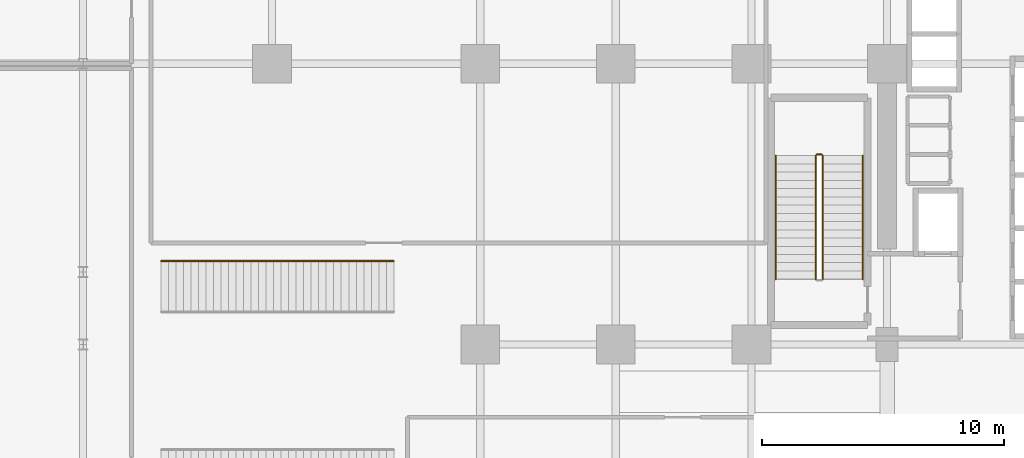
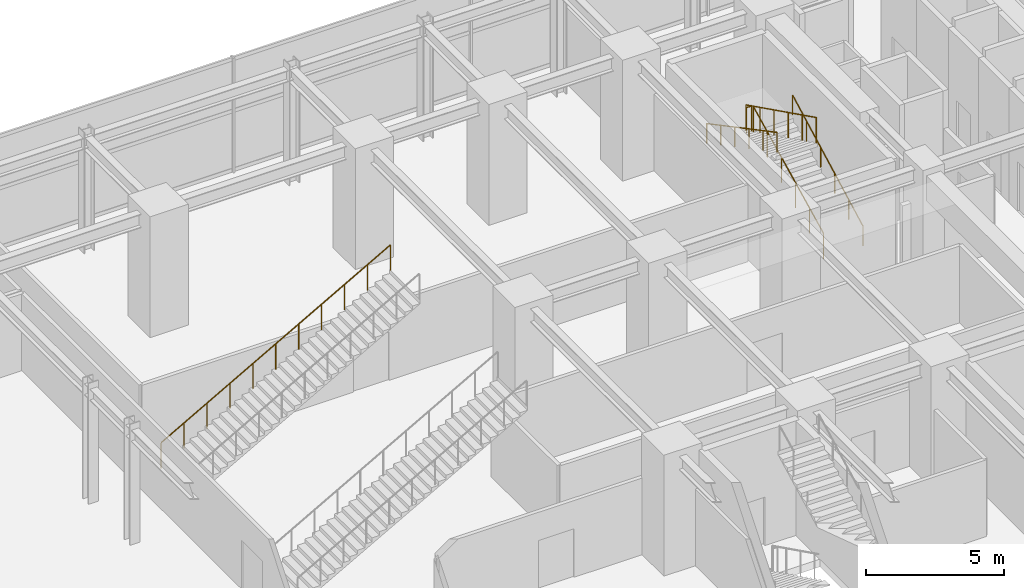
# One storey, part 33 of 34: 6 railings.
"""IFC4 building model written with IfcOpenShell, lengths in metres."""

from ifc_helpers import new_model, si_unit, direction, frame, origin, origin_2d, place, context, subcontext, project, spatial, circle, extrude, material, type_object, element, save


model = new_model("IFC4")

# Units and contexts
model_context = context("Model", 3, precision=1e-05, world=origin(), true_north=direction((0.0, 1.0)))
body_context = subcontext(model_context, "Body", "Model", "MODEL_VIEW")
ifc_project = project(units=[si_unit("LENGTHUNIT", "METRE"), si_unit("AREAUNIT", "SQUARE_METRE"), si_unit("VOLUMEUNIT", "CUBIC_METRE"), si_unit("PLANEANGLEUNIT", "RADIAN"), si_unit("MASSUNIT", "GRAM", prefix="KILO")], contexts=[model_context])

# Site, building, storey
site_placement = place(None, origin())
site = spatial("IfcSite", under=ifc_project, at=site_placement, CompositionType="ELEMENT")
building_placement = place(site_placement, origin())
building = spatial("IfcBuilding", under=site, at=building_placement, Name="Nahalor Promenade Grand Hotel", CompositionType="ELEMENT")
storey_placement = place(building_placement, frame((0.0, 0.0, 16.199951171875)))
storey = spatial("IfcBuildingStorey", under=building, at=storey_placement, Name="L03", CompositionType="ELEMENT", Elevation=16.199951171875)

# Railings
ifc_material = material(Name="Steel S355JR", Category="steel")
railing_type_1 = type_object("IfcRailingType", Name="Steel Stair Guardrail 1150 mm", PredefinedType="GUARDRAIL", material=ifc_material)
railing_1_placement = place(storey_placement, frame((5.75, 8.10009765625, 0.168701171875)))
element("IfcRailing", 1, at=railing_1_placement, inside=storey, type_object=railing_type_1, Name="L03 ST1 stair guard 1", PredefinedType="GUARDRAIL", context=body_context, shape_type="SweptSolid", body=[
    extrude(circle(Radius=0.024048, at=origin_2d()), frame((0.0, 0.0, 1.1259765625), z_axis=(0.0, 0.895735491292, 0.444587370086), x_axis=(-1.0, 0.0, 0.0)), (0.0, 0.0, 1.0), 5.693603515625),
    extrude(circle(Radius=0.020996, at=origin_2d()), origin(), (0.0, 0.0, 1.0), 1.099853515625),
    extrude(circle(Radius=0.020996, at=origin_2d()), frame((0.0, 1.02001953125, 0.50634765625)), (0.0, 0.0, 1.0), 1.099853515625),
    extrude(circle(Radius=0.020996, at=origin_2d()), frame((0.0, 2.0400390625, 1.012451171875)), (0.0, 0.0, 1.0), 1.099853515625),
    extrude(circle(Radius=0.020996, at=origin_2d()), frame((0.0, 3.059814453125, 1.518798828125)), (0.0, 0.0, 1.0), 1.099853515625),
    extrude(circle(Radius=0.020996, at=origin_2d()), frame((0.0, 4.079833984375, 2.02490234375)), (0.0, 0.0, 1.0), 1.099853515625),
    extrude(circle(Radius=0.020996, at=origin_2d()), frame((0.0, 5.099853515625, 2.53125)), (0.0, 0.0, 1.0), 1.099853515625),
])
railing_2_placement = place(storey_placement, frame((5.699951171875, 13.25, 2.699951171875)))
element("IfcRailing", 2, at=railing_2_placement, inside=storey, type_object=railing_type_1, Name="L03 ST1 stair guard 2", PredefinedType="GUARDRAIL", context=body_context, shape_type="SweptSolid", body=[
    extrude(circle(Radius=0.024048, at=origin_2d()), frame((0.0, 0.0, 1.1259765625), z_axis=(-1.0, 0.0, 0.0), x_axis=(0.0, -1.0, 0.0)), (0.0, 0.0, 1.0), 0.199951171875),
    extrude(circle(Radius=0.020996, at=origin_2d()), origin(), (0.0, 0.0, 1.0), 1.099853515625),
    extrude(circle(Radius=0.020996, at=origin_2d()), frame((-0.199951171875, 0.0, 0.0)), (0.0, 0.0, 1.0), 1.099853515625),
])
railing_3_placement = place(storey_placement, frame((5.449951171875, 13.199951171875, 2.868896484375)))
element("IfcRailing", 3, at=railing_3_placement, inside=storey, type_object=railing_type_1, Name="L03 ST1 stair guard 3", PredefinedType="GUARDRAIL", context=body_context, shape_type="SweptSolid", body=[
    extrude(circle(Radius=0.024048, at=origin_2d()), frame((0.0, 0.0, 1.1259765625), z_axis=(0.0, -0.895735491292, 0.444587370086), x_axis=(1.0, 0.0, 0.0)), (0.0, 0.0, 1.0), 5.693603515625),
    extrude(circle(Radius=0.020996, at=origin_2d()), origin(), (0.0, 0.0, 1.0), 1.099853515625),
    extrude(circle(Radius=0.020996, at=origin_2d()), frame((0.0, -1.02001953125, 0.50634765625)), (0.0, 0.0, 1.0), 1.099853515625),
    extrude(circle(Radius=0.020996, at=origin_2d()), frame((0.0, -2.0400390625, 1.012451171875)), (0.0, 0.0, 1.0), 1.099853515625),
    extrude(circle(Radius=0.020996, at=origin_2d()), frame((0.0, -3.059814453125, 1.518798828125)), (0.0, 0.0, 1.0), 1.099853515625),
    extrude(circle(Radius=0.020996, at=origin_2d()), frame((0.0, -4.079833984375, 2.02490234375)), (0.0, 0.0, 1.0), 1.099853515625),
    extrude(circle(Radius=0.020996, at=origin_2d()), frame((0.0, -5.099853515625, 2.53125)), (0.0, 0.0, 1.0), 1.099853515625),
])
railing_4_placement = place(storey_placement, frame((-21.580078125, 8.85009765625, 0.0)))
element("IfcRailing", 4, at=railing_4_placement, inside=storey, type_object=railing_type_1, Name="RL-STM4-L", PredefinedType="GUARDRAIL", context=body_context, shape_type="SweptSolid", body=[
    extrude(circle(Radius=0.024048, at=origin_2d()), frame((0.0, 0.0, 1.1259765625), z_axis=(0.871790158963, 0.0, 0.489879494096), x_axis=(0.0, 1.0, 0.0)), (0.0, 0.0, 1.0), 11.0234375),
    extrude(circle(Radius=0.020996, at=origin_2d()), origin(), (0.0, 0.0, 1.0), 1.099853515625),
    extrude(circle(Radius=0.020996, at=origin_2d()), frame((0.9609375, 0.0, 0.5400390625)), (0.0, 0.0, 1.0), 1.099853515625),
    extrude(circle(Radius=0.020996, at=origin_2d()), frame((1.922119140625, 0.0, 1.080078125)), (0.0, 0.0, 1.0), 1.099853515625),
    extrude(circle(Radius=0.020996, at=origin_2d()), frame((2.883056640625, 0.0, 1.6201171875)), (0.0, 0.0, 1.0), 1.099853515625),
    extrude(circle(Radius=0.020996, at=origin_2d()), frame((3.843994140625, 0.0, 2.16015625)), (0.0, 0.0, 1.0), 1.099853515625),
    extrude(circle(Radius=0.020996, at=origin_2d()), frame((4.80517578125, 0.0, 2.7001953125)), (0.0, 0.0, 1.0), 1.099853515625),
    extrude(circle(Radius=0.020996, at=origin_2d()), frame((5.76611328125, 0.0, 3.239990234375)), (0.0, 0.0, 1.0), 1.099853515625),
    extrude(circle(Radius=0.020996, at=origin_2d()), frame((6.72705078125, 0.0, 3.780029296875)), (0.0, 0.0, 1.0), 1.099853515625),
    extrude(circle(Radius=0.020996, at=origin_2d()), frame((7.68798828125, 0.0, 4.320068359375)), (0.0, 0.0, 1.0), 1.099853515625),
    extrude(circle(Radius=0.020996, at=origin_2d()), frame((8.649169921875, 0.0, 4.860107421875)), (0.0, 0.0, 1.0), 1.099853515625),
    extrude(circle(Radius=0.020996, at=origin_2d()), frame((9.610107421875, 0.0, 5.400146484375)), (0.0, 0.0, 1.0), 1.099853515625),
])
railing_type_2 = type_object("IfcRailingType", Name="Steel Stair Handrail 900 mm", PredefinedType="HANDRAIL", material=ifc_material)
railing_5_placement = place(storey_placement, frame((7.39990234375, 8.10009765625, 0.168701171875)))
element("IfcRailing", 5, at=railing_5_placement, inside=storey, type_object=railing_type_2, Name="L03 ST1 stair handrail 1", PredefinedType="HANDRAIL", context=body_context, shape_type="SweptSolid", body=[
    extrude(circle(Radius=0.024048, at=origin_2d()), frame((0.0, 0.0, 0.8759765625), z_axis=(0.0, 0.883768362495, 0.467924653607), x_axis=(-1.0, 0.0, 0.0)), (0.0, 0.0, 1.0), 5.7705078125),
    extrude(circle(Radius=0.020996, at=origin_2d()), origin(), (0.0, 0.0, 1.0), 0.849853515625),
    extrude(circle(Radius=0.020996, at=origin_2d()), frame((0.0, 1.02001953125, 0.5400390625)), (0.0, 0.0, 1.0), 0.849853515625),
    extrude(circle(Radius=0.020996, at=origin_2d()), frame((0.0, 2.0400390625, 1.080078125)), (0.0, 0.0, 1.0), 0.849853515625),
    extrude(circle(Radius=0.020996, at=origin_2d()), frame((0.0, 3.059814453125, 1.6201171875)), (0.0, 0.0, 1.0), 0.849853515625),
    extrude(circle(Radius=0.020996, at=origin_2d()), frame((0.0, 4.079833984375, 2.16015625)), (0.0, 0.0, 1.0), 0.849853515625),
    extrude(circle(Radius=0.020996, at=origin_2d()), frame((0.0, 5.099853515625, 2.7001953125)), (0.0, 0.0, 1.0), 0.849853515625),
])
railing_6_placement = place(storey_placement, frame((3.800048828125, 13.199951171875, 2.868896484375)))
element("IfcRailing", 6, at=railing_6_placement, inside=storey, type_object=railing_type_2, Name="L03 ST1 stair handrail 2", PredefinedType="HANDRAIL", context=body_context, shape_type="SweptSolid", body=[
    extrude(circle(Radius=0.024048, at=origin_2d()), frame((0.0, 0.0, 0.8759765625), z_axis=(0.0, -0.883785858079, 0.467891608238), x_axis=(1.0, 0.0, 0.0)), (0.0, 0.0, 1.0), 5.7705078125),
    extrude(circle(Radius=0.020996, at=origin_2d()), origin(), (0.0, 0.0, 1.0), 0.849853515625),
    extrude(circle(Radius=0.020996, at=origin_2d()), frame((0.0, -1.02001953125, 0.5400390625)), (0.0, 0.0, 1.0), 0.849853515625),
    extrude(circle(Radius=0.020996, at=origin_2d()), frame((0.0, -2.0400390625, 1.080078125)), (0.0, 0.0, 1.0), 0.849853515625),
    extrude(circle(Radius=0.020996, at=origin_2d()), frame((0.0, -3.059814453125, 1.619873046875)), (0.0, 0.0, 1.0), 0.849853515625),
    extrude(circle(Radius=0.020996, at=origin_2d()), frame((0.0, -4.079833984375, 2.159912109375)), (0.0, 0.0, 1.0), 0.849853515625),
    extrude(circle(Radius=0.020996, at=origin_2d()), frame((0.0, -5.099853515625, 2.699951171875)), (0.0, 0.0, 1.0), 0.849853515625),
])

save(model, "model.ifc")
